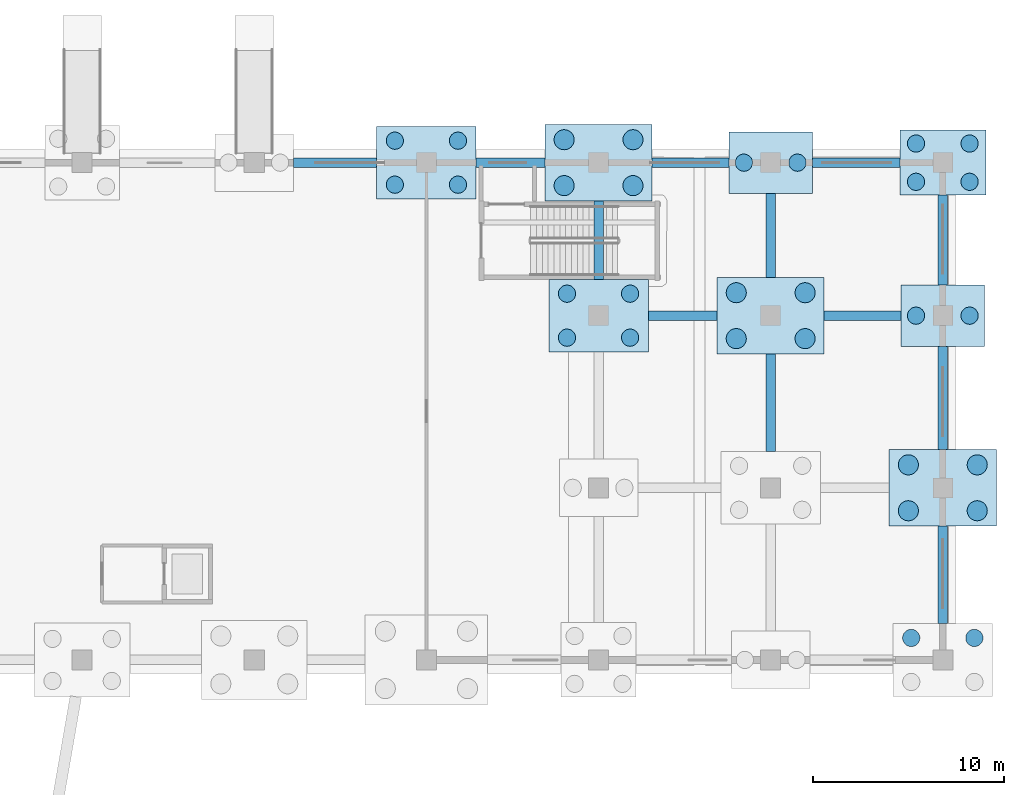
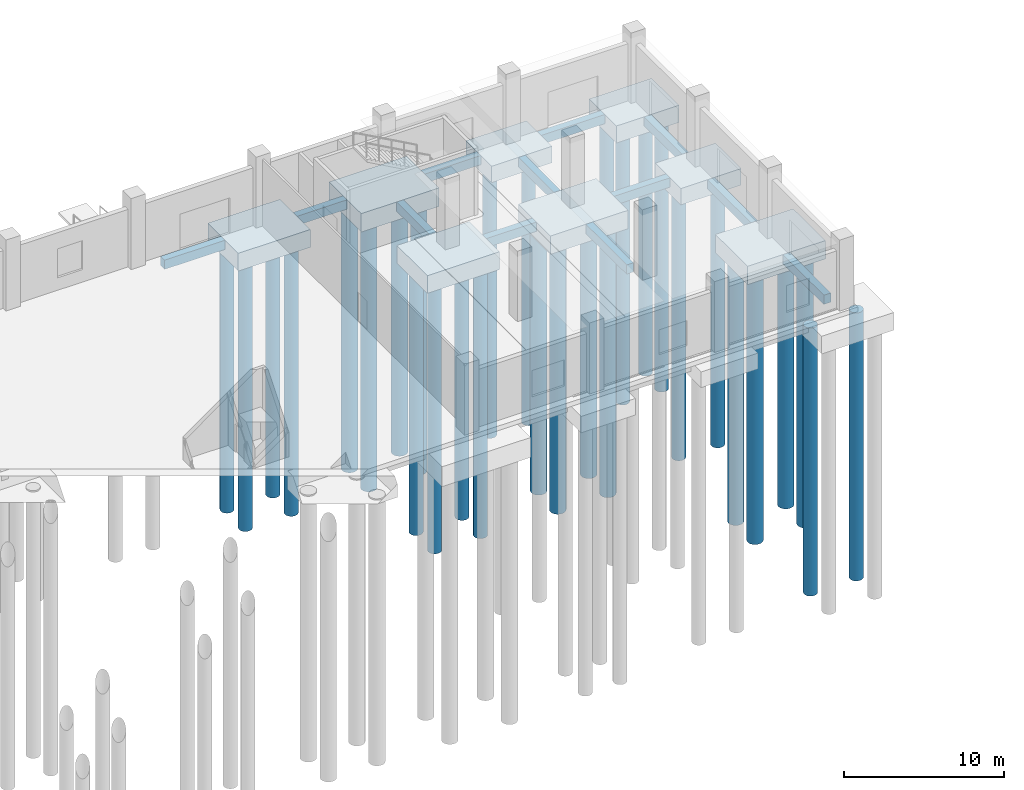
# One storey, part 15 of 103: 30 piles, 20 footings.
"""IFC4 building model written with IfcOpenShell, lengths in metres."""

from ifc_helpers import new_model, si_unit, direction, frame, origin, origin_2d, place, context, subcontext, project, spatial, rectangle, circle, extrude, material, material_profile, profile_set, type_object, element, save


model = new_model("IFC4")

# Units and contexts
model_context = context("Model", 3, precision=1e-05, world=origin(), true_north=direction((0.0, 1.0)))
body_context = subcontext(model_context, "Body", "Model", "MODEL_VIEW")
ifc_project = project(units=[si_unit("LENGTHUNIT", "METRE"), si_unit("AREAUNIT", "SQUARE_METRE"), si_unit("VOLUMEUNIT", "CUBIC_METRE"), si_unit("PLANEANGLEUNIT", "RADIAN"), si_unit("MASSUNIT", "GRAM", prefix="KILO")], contexts=[model_context])

# Site, building, storey
site_placement = place(None, origin())
site = spatial("IfcSite", under=ifc_project, at=site_placement, CompositionType="ELEMENT")
building_placement = place(site_placement, origin())
building = spatial("IfcBuilding", under=site, at=building_placement, Name="Zevraka Park Crest Stadium", CompositionType="ELEMENT")
storey_placement = place(building_placement, origin())
storey = spatial("IfcBuildingStorey", under=building, at=storey_placement, Name="L00", CompositionType="ELEMENT", Elevation=0.0)

# Footings
ifc_material_1 = material(Name="Concrete C35/45", Category="concrete")
ifc_material_profile_1 = material_profile(ifc_material_1, rectangle(XDim=0.5, YDim=0.699951171875, at=origin_2d()), Name="GB 700x500")
ifc_profile_set_1 = profile_set([ifc_material_profile_1], Name="Concrete C35/45")
footing_type_1 = type_object("IfcFootingType", Name="GB02", PredefinedType="FOOTING_BEAM", material=ifc_profile_set_1)
footing_1_placement = place(storey_placement, frame((190.050048828125, 184.0, -0.699951171875), z_axis=(1.0, 0.0, 0.0), x_axis=(0.0, 1.0, 0.0)))
element("IfcFooting", 1, at=footing_1_placement, inside=storey, type_object=footing_type_1, Name="Ground Tie Beam GB02 WX-21-W", PredefinedType="FOOTING_BEAM", context=body_context, shape_type="SweptSolid", body=[
    extrude(rectangle(XDim=0.5, YDim=0.699951171875, at=origin_2d()), origin(), (0.0, 0.0, 1.0), 4.349853515625),
])
for number, where, z_axis, x_axis, name in (
    (2, (199.60009765625, 184.0, -0.699951171875), (1.0, 0.0, 0.0), (0.0, 1.0, 0.0), "Ground Tie Beam GB02 WX-22-W"),
    (3, (208.60009765625, 176.0, -0.699951171875), (1.0, 0.0, 0.0), (0.0, 1.0, 0.0), "Ground Tie Beam GB02 WX-23-V"),
):
    element("IfcFooting", number, at=place(storey_placement, frame(where, z_axis=z_axis, x_axis=x_axis)), inside=storey, type_object=footing_type_1, Name=name, PredefinedType="FOOTING_BEAM", context=body_context, shape_type="SweptSolid", body=[
        extrude(rectangle(XDim=0.5, YDim=0.699951171875, at=origin_2d()), origin(), (0.0, 0.0, 1.0), 3.599853515625),
    ])
footing_2_placement = place(storey_placement, frame((206.0, 177.89990234375, -0.699951171875), z_axis=(0.0, 1.0, 0.0), x_axis=(-1.0, 0.0, 0.0)))
element("IfcFooting", 4, at=footing_2_placement, inside=storey, type_object=footing_type_1, Name="Ground Tie Beam GB02 WY-23-V", PredefinedType="FOOTING_BEAM", context=body_context, shape_type="SweptSolid", body=[
    extrude(rectangle(XDim=0.5, YDim=0.699951171875, at=origin_2d()), origin(), (0.0, 0.0, 1.0), 4.10009765625),
])
footing_3_placement = place(storey_placement, frame((208.800048828125, 184.0, -0.699951171875), z_axis=(1.0, 0.0, 0.0), x_axis=(0.0, 1.0, 0.0)))
element("IfcFooting", 5, at=footing_3_placement, inside=storey, type_object=footing_type_1, Name="Ground Tie Beam GB02 WX-23-W", PredefinedType="FOOTING_BEAM", context=body_context, shape_type="SweptSolid", body=[
    extrude(rectangle(XDim=0.5, YDim=0.699951171875, at=origin_2d()), origin(), (0.0, 0.0, 1.0), 4.02490234375),
])
footing_4_placement = place(storey_placement, frame((215.0, 168.89990234375, -0.699951171875), z_axis=(0.0, 1.0, 0.0), x_axis=(-1.0, 0.0, 0.0)))
element("IfcFooting", 6, at=footing_4_placement, inside=storey, type_object=footing_type_1, Name="Ground Tie Beam GB02 WY-24-U", PredefinedType="FOOTING_BEAM", context=body_context, shape_type="SweptSolid", body=[
    extrude(rectangle(XDim=0.5, YDim=0.699951171875, at=origin_2d()), origin(), (0.0, 0.0, 1.0), 5.10009765625),
])
footing_5_placement = place(storey_placement, frame((217.800048828125, 176.0, -0.699951171875), z_axis=(1.0, 0.0, 0.0), x_axis=(0.0, 1.0, 0.0)))
element("IfcFooting", 7, at=footing_5_placement, inside=storey, type_object=footing_type_1, Name="Ground Tie Beam GB02 WX-24-V", PredefinedType="FOOTING_BEAM", context=body_context, shape_type="SweptSolid", body=[
    extrude(rectangle(XDim=0.5, YDim=0.699951171875, at=origin_2d()), origin(), (0.0, 0.0, 1.0), 4.02490234375),
])
footing_6_placement = place(storey_placement, frame((215.0, 178.0, -0.699951171875), z_axis=(0.0, 1.0, 0.0), x_axis=(-1.0, 0.0, 0.0)))
element("IfcFooting", 8, at=footing_6_placement, inside=storey, type_object=footing_type_1, Name="Ground Tie Beam GB02 WY-24-V", PredefinedType="FOOTING_BEAM", context=body_context, shape_type="SweptSolid", body=[
    extrude(rectangle(XDim=0.5, YDim=0.699951171875, at=origin_2d()), origin(), (0.0, 0.0, 1.0), 4.39990234375),
])
footing_7_placement = place(storey_placement, frame((217.175048828125, 184.0, -0.699951171875), z_axis=(1.0, 0.0, 0.0), x_axis=(0.0, 1.0, 0.0)))
element("IfcFooting", 9, at=footing_7_placement, inside=storey, type_object=footing_type_1, Name="Ground Tie Beam GB02 WX-24-W", PredefinedType="FOOTING_BEAM", context=body_context, shape_type="SweptSolid", body=[
    extrude(rectangle(XDim=0.5, YDim=0.699951171875, at=origin_2d()), origin(), (0.0, 0.0, 1.0), 4.574951171875),
])
footing_8_placement = place(storey_placement, frame((224.0, 159.89990234375, -0.699951171875), z_axis=(0.0, 1.0, 0.0), x_axis=(-1.0, 0.0, 0.0)))
element("IfcFooting", 10, at=footing_8_placement, inside=storey, type_object=footing_type_1, Name="Ground Tie Beam GB02 WY-25-T", PredefinedType="FOOTING_BEAM", context=body_context, shape_type="SweptSolid", body=[
    extrude(rectangle(XDim=0.5, YDim=0.699951171875, at=origin_2d()), origin(), (0.0, 0.0, 1.0), 5.10009765625),
])
footing_9_placement = place(storey_placement, frame((224.0, 169.0, -0.699951171875), z_axis=(0.0, 1.0, 0.0), x_axis=(-1.0, 0.0, 0.0)))
element("IfcFooting", 11, at=footing_9_placement, inside=storey, type_object=footing_type_1, Name="Ground Tie Beam GB02 WY-25-U", PredefinedType="FOOTING_BEAM", context=body_context, shape_type="SweptSolid", body=[
    extrude(rectangle(XDim=0.5, YDim=0.699951171875, at=origin_2d()), origin(), (0.0, 0.0, 1.0), 5.39990234375),
])
footing_10_placement = place(storey_placement, frame((224.0, 177.60009765625, -0.699951171875), z_axis=(0.0, 1.0, 0.0), x_axis=(-1.0, 0.0, 0.0)))
element("IfcFooting", 12, at=footing_10_placement, inside=storey, type_object=footing_type_1, Name="Ground Tie Beam GB02 WY-25-V", PredefinedType="FOOTING_BEAM", context=body_context, shape_type="SweptSolid", body=[
    extrude(rectangle(XDim=0.5, YDim=0.699951171875, at=origin_2d()), origin(), (0.0, 0.0, 1.0), 4.699951171875),
])
ifc_material_2 = material(Name="Concrete C35/45", Category="concrete")
footing_type_2 = type_object("IfcFootingType", Name="PC11", PredefinedType="PILE_CAP", material=ifc_material_2)
for number, where, z_axis, x_axis, name in (
    (13, (197.0, 184.0, -1.699951171875), (0.0, 0.0, 1.0), (1.0, 0.0, 0.0), "Foundation PC11 W-22-W"),
    (14, (206.0, 176.0, -1.699951171875), (0.0, 0.0, 1.0), (1.0, 0.0, 0.0), "Foundation PC11 W-23-V"),
):
    element("IfcFooting", number, at=place(storey_placement, frame(where, z_axis=z_axis, x_axis=x_axis)), inside=storey, type_object=footing_type_2, Name=name, PredefinedType="PILE_CAP", context=body_context, shape_type="SweptSolid", body=[
        extrude(rectangle(XDim=5.199951171875, YDim=3.800048828125, at=origin_2d()), origin(), (0.0, 0.0, 1.0), 1.35009765625),
    ])
ifc_material_3 = material(Name="Concrete C35/45", Category="concrete")
footing_type_3 = type_object("IfcFootingType", Name="PC12", PredefinedType="PILE_CAP", material=ifc_material_3)
for number, where, z_axis, x_axis, name in (
    (15, (206.0, 184.0, -1.75), (0.0, 0.0, 1.0), (1.0, 0.0, 0.0), "Foundation PC12 W-23-W"),
    (16, (215.0, 176.0, -1.75), (0.0, 0.0, 1.0), (1.0, 0.0, 0.0), "Foundation PC12 W-24-V"),
    (17, (224.0, 167.0, -1.75), (0.0, 0.0, 1.0), (1.0, 0.0, 0.0), "Foundation PC12 W-25-U"),
):
    element("IfcFooting", number, at=place(storey_placement, frame(where, z_axis=z_axis, x_axis=x_axis)), inside=storey, type_object=footing_type_3, Name=name, PredefinedType="PILE_CAP", context=body_context, shape_type="SweptSolid", body=[
        extrude(rectangle(XDim=5.60009765625, YDim=4.0, at=origin_2d()), origin(), (0.0, 0.0, 1.0), 1.39990234375),
    ])
ifc_material_4 = material(Name="Concrete C35/45", Category="concrete")
footing_type_4 = type_object("IfcFootingType", Name="PC16", PredefinedType="PILE_CAP", material=ifc_material_4)
for number, where, z_axis, x_axis, name in (
    (18, (215.0, 184.0, -1.60009765625), (0.0, 0.0, 1.0), (1.0, 0.0, 0.0), "Foundation PC16 W-24-W"),
    (19, (224.0, 176.0, -1.60009765625), (0.0, 0.0, 1.0), (1.0, 0.0, 0.0), "Foundation PC16 W-25-V"),
):
    element("IfcFooting", number, at=place(storey_placement, frame(where, z_axis=z_axis, x_axis=x_axis)), inside=storey, type_object=footing_type_4, Name=name, PredefinedType="PILE_CAP", context=body_context, shape_type="SweptSolid", body=[
        extrude(rectangle(XDim=4.35009765625, YDim=3.199951171875, at=origin_2d()), origin(), (0.0, 0.0, 1.0), 1.25),
    ])
ifc_material_5 = material(Name="Concrete C35/45", Category="concrete")
footing_type_5 = type_object("IfcFootingType", Name="PC17", PredefinedType="PILE_CAP", material=ifc_material_5)
footing_11_placement = place(storey_placement, frame((224.0, 184.0, -1.64990234375), z_axis=(0.0, 0.0, 1.0), x_axis=(1.0, 0.0, 0.0)))
element("IfcFooting", 20, at=footing_11_placement, inside=storey, type_object=footing_type_5, Name="Foundation PC17 W-25-W", PredefinedType="PILE_CAP", context=body_context, shape_type="SweptSolid", body=[
    extrude(rectangle(XDim=4.5, YDim=3.39990234375, at=origin_2d()), origin(), (0.0, 0.0, 1.0), 1.300048828125),
])

# Piles
ifc_material_6 = material(Name="Concrete C35/45", Category="concrete")
ifc_material_profile_2 = material_profile(ifc_material_6, circle(Radius=0.449951171875, at=origin_2d()), Name="PILE D900")
ifc_profile_set_2 = profile_set([ifc_material_profile_2], Name="Concrete C35/45")
pile_type_1 = type_object("IfcPileType", Name="PL01", PredefinedType="BORED", material=ifc_profile_set_2)
for number, where, z_axis, x_axis, name in (
    (21, (195.35009765625, 182.85009765625, -1.60009765625), (0.0, 0.0, -1.0), (1.0, 0.0, 0.0), "Bored Pile PL01 W-22-W-1"),
    (22, (198.64990234375, 182.85009765625, -1.60009765625), (0.0, 0.0, -1.0), (1.0, 0.0, 0.0), "Bored Pile PL01 W-22-W-2"),
    (23, (195.35009765625, 185.14990234375, -1.60009765625), (0.0, 0.0, -1.0), (1.0, 0.0, 0.0), "Bored Pile PL01 W-22-W-3"),
    (24, (198.64990234375, 185.14990234375, -1.60009765625), (0.0, 0.0, -1.0), (1.0, 0.0, 0.0), "Bored Pile PL01 W-22-W-4"),
    (25, (204.35009765625, 174.85009765625, -1.60009765625), (0.0, 0.0, -1.0), (1.0, 0.0, 0.0), "Bored Pile PL01 W-23-V-1"),
    (26, (207.64990234375, 174.85009765625, -1.60009765625), (0.0, 0.0, -1.0), (1.0, 0.0, 0.0), "Bored Pile PL01 W-23-V-2"),
    (27, (204.35009765625, 177.14990234375, -1.60009765625), (0.0, 0.0, -1.0), (1.0, 0.0, 0.0), "Bored Pile PL01 W-23-V-3"),
    (28, (207.64990234375, 177.14990234375, -1.60009765625), (0.0, 0.0, -1.0), (1.0, 0.0, 0.0), "Bored Pile PL01 W-23-V-4"),
):
    element("IfcPile", number, at=place(storey_placement, frame(where, z_axis=z_axis, x_axis=x_axis)), inside=storey, type_object=pile_type_1, Name=name, PredefinedType="BORED", context=body_context, shape_type="SweptSolid", body=[
        extrude(circle(Radius=0.449951171875, at=origin_2d()), origin(), (0.0, 0.0, 1.0), 20.39990234375),
    ])
for number, where, z_axis, x_axis, name in (
    (29, (213.60009765625, 184.0, -1.5), (0.0, 0.0, -1.0), (1.0, 0.0, 0.0), "Bored Pile PL01 W-24-W-1"),
    (30, (216.39990234375, 184.0, -1.5), (0.0, 0.0, -1.0), (1.0, 0.0, 0.0), "Bored Pile PL01 W-24-W-2"),
):
    element("IfcPile", number, at=place(storey_placement, frame(where, z_axis=z_axis, x_axis=x_axis)), inside=storey, type_object=pile_type_1, Name=name, PredefinedType="BORED", context=body_context, shape_type="SweptSolid", body=[
        extrude(circle(Radius=0.449951171875, at=origin_2d()), origin(), (0.0, 0.0, 1.0), 20.5),
    ])
for number, where, z_axis, x_axis, name in (
    (31, (222.35009765625, 159.14990234375, -1.60009765625), (0.0, 0.0, -1.0), (1.0, 0.0, 0.0), "Bored Pile PL01 W-25-T-3"),
    (32, (225.64990234375, 159.14990234375, -1.60009765625), (0.0, 0.0, -1.0), (1.0, 0.0, 0.0), "Bored Pile PL01 W-25-T-4"),
):
    element("IfcPile", number, at=place(storey_placement, frame(where, z_axis=z_axis, x_axis=x_axis)), inside=storey, type_object=pile_type_1, Name=name, PredefinedType="BORED", context=body_context, shape_type="SweptSolid", body=[
        extrude(circle(Radius=0.449951171875, at=origin_2d()), origin(), (0.0, 0.0, 1.0), 20.39990234375),
    ])
for number, where, z_axis, x_axis, name in (
    (33, (222.60009765625, 176.0, -1.5), (0.0, 0.0, -1.0), (1.0, 0.0, 0.0), "Bored Pile PL01 W-25-V-1"),
    (34, (225.39990234375, 176.0, -1.5), (0.0, 0.0, -1.0), (1.0, 0.0, 0.0), "Bored Pile PL01 W-25-V-2"),
):
    element("IfcPile", number, at=place(storey_placement, frame(where, z_axis=z_axis, x_axis=x_axis)), inside=storey, type_object=pile_type_1, Name=name, PredefinedType="BORED", context=body_context, shape_type="SweptSolid", body=[
        extrude(circle(Radius=0.449951171875, at=origin_2d()), origin(), (0.0, 0.0, 1.0), 20.5),
    ])
for number, where, z_axis, x_axis, name in (
    (35, (222.60009765625, 183.0, -1.550048828125), (0.0, 0.0, -1.0), (1.0, 0.0, 0.0), "Bored Pile PL01 W-25-W-1"),
    (36, (225.39990234375, 183.0, -1.550048828125), (0.0, 0.0, -1.0), (1.0, 0.0, 0.0), "Bored Pile PL01 W-25-W-2"),
    (37, (222.60009765625, 185.0, -1.550048828125), (0.0, 0.0, -1.0), (1.0, 0.0, 0.0), "Bored Pile PL01 W-25-W-3"),
    (38, (225.39990234375, 185.0, -1.550048828125), (0.0, 0.0, -1.0), (1.0, 0.0, 0.0), "Bored Pile PL01 W-25-W-4"),
):
    element("IfcPile", number, at=place(storey_placement, frame(where, z_axis=z_axis, x_axis=x_axis)), inside=storey, type_object=pile_type_1, Name=name, PredefinedType="BORED", context=body_context, shape_type="SweptSolid", body=[
        extrude(circle(Radius=0.449951171875, at=origin_2d()), origin(), (0.0, 0.0, 1.0), 20.449951171875),
    ])
ifc_material_7 = material(Name="Concrete C35/45", Category="concrete")
ifc_material_profile_3 = material_profile(ifc_material_7, circle(Radius=0.52490234375, at=origin_2d()), Name="PILE D1050")
ifc_profile_set_3 = profile_set([ifc_material_profile_3], Name="Concrete C35/45")
pile_type_2 = type_object("IfcPileType", Name="PL02", PredefinedType="BORED", material=ifc_profile_set_3)
for number, where, z_axis, x_axis, name in (
    (39, (204.199951171875, 182.800048828125, -1.64990234375), (0.0, 0.0, -1.0), (1.0, 0.0, 0.0), "Bored Pile PL02 W-23-W-1"),
    (40, (207.800048828125, 182.800048828125, -1.64990234375), (0.0, 0.0, -1.0), (1.0, 0.0, 0.0), "Bored Pile PL02 W-23-W-2"),
    (41, (204.199951171875, 185.199951171875, -1.64990234375), (0.0, 0.0, -1.0), (1.0, 0.0, 0.0), "Bored Pile PL02 W-23-W-3"),
    (42, (207.800048828125, 185.199951171875, -1.64990234375), (0.0, 0.0, -1.0), (1.0, 0.0, 0.0), "Bored Pile PL02 W-23-W-4"),
    (43, (213.199951171875, 174.800048828125, -1.64990234375), (0.0, 0.0, -1.0), (1.0, 0.0, 0.0), "Bored Pile PL02 W-24-V-1"),
    (44, (216.800048828125, 174.800048828125, -1.64990234375), (0.0, 0.0, -1.0), (1.0, 0.0, 0.0), "Bored Pile PL02 W-24-V-2"),
    (45, (213.199951171875, 177.199951171875, -1.64990234375), (0.0, 0.0, -1.0), (1.0, 0.0, 0.0), "Bored Pile PL02 W-24-V-3"),
    (46, (216.800048828125, 177.199951171875, -1.64990234375), (0.0, 0.0, -1.0), (1.0, 0.0, 0.0), "Bored Pile PL02 W-24-V-4"),
    (47, (222.199951171875, 165.800048828125, -1.64990234375), (0.0, 0.0, -1.0), (1.0, 0.0, 0.0), "Bored Pile PL02 W-25-U-1"),
    (48, (225.800048828125, 165.800048828125, -1.64990234375), (0.0, 0.0, -1.0), (1.0, 0.0, 0.0), "Bored Pile PL02 W-25-U-2"),
    (49, (222.199951171875, 168.199951171875, -1.64990234375), (0.0, 0.0, -1.0), (1.0, 0.0, 0.0), "Bored Pile PL02 W-25-U-3"),
    (50, (225.800048828125, 168.199951171875, -1.64990234375), (0.0, 0.0, -1.0), (1.0, 0.0, 0.0), "Bored Pile PL02 W-25-U-4"),
):
    element("IfcPile", number, at=place(storey_placement, frame(where, z_axis=z_axis, x_axis=x_axis)), inside=storey, type_object=pile_type_2, Name=name, PredefinedType="BORED", context=body_context, shape_type="SweptSolid", body=[
        extrude(circle(Radius=0.52490234375, at=origin_2d()), origin(), (0.0, 0.0, 1.0), 20.35009765625),
    ])

save(model, "model.ifc")
